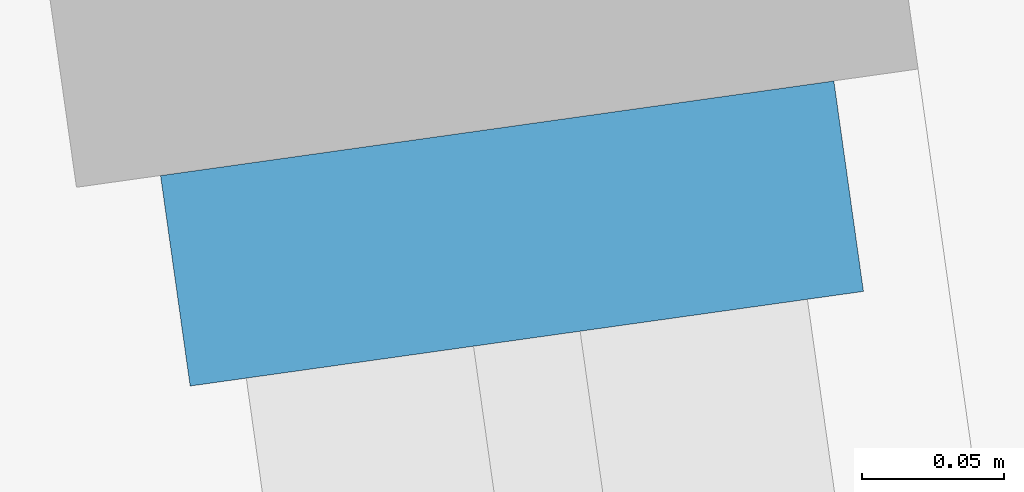
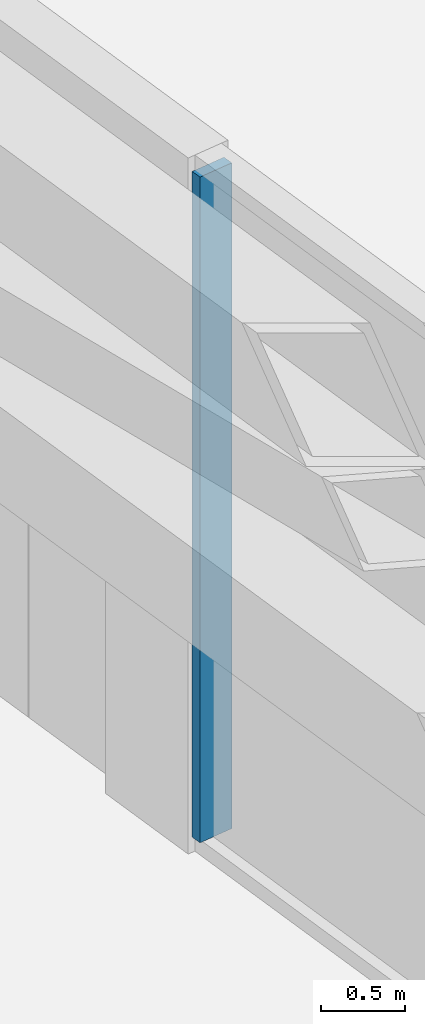
# One storey, part 15 of 41: 1 member, 1 element without a shape of its own.
"""IFC4 building model written with IfcOpenShell, lengths in metres."""

from ifc_helpers import new_model, si_unit, direction, frame, origin, origin_2d, place, context, subcontext, project, spatial, rectangle, extrude, material, material_profile, profile_set, type_object, element, aggregate, save


model = new_model("IFC4")

# Units and contexts
model_context = context("Model", 3, precision=1e-05, world=origin(), true_north=direction((0.0, 1.0)))
body_context = subcontext(model_context, "Body", "Model", "MODEL_VIEW")
ifc_project = project(units=[si_unit("LENGTHUNIT", "METRE"), si_unit("AREAUNIT", "SQUARE_METRE"), si_unit("VOLUMEUNIT", "CUBIC_METRE"), si_unit("PLANEANGLEUNIT", "RADIAN"), si_unit("MASSUNIT", "GRAM", prefix="KILO")], contexts=[model_context])

# Site, building, storey
site_placement = place(None, origin())
site = spatial("IfcSite", under=ifc_project, at=site_placement, CompositionType="ELEMENT")
building_placement = place(site_placement, origin())
building = spatial("IfcBuilding", under=site, at=building_placement, Name="Mirante Cascada Hotel Towers", CompositionType="ELEMENT")
storey_placement = place(building_placement, frame((0.0, 0.0, 151.9)))
storey = spatial("IfcBuildingStorey", under=building, at=storey_placement, Name="L35", CompositionType="ELEMENT", Elevation=151.9)

# Curtain wall, member
ifc_material_1 = material(Name="Aluminium mullion and transom frame with clear laminated glass", Category="aluminium")
curtain_wall_type = type_object("IfcCurtainWallType", Name="Sky garden curtain wall ECW4", PredefinedType="NOTDEFINED", material=ifc_material_1)
curtain_wall_placement = place(storey_placement, origin())
curtain_wall = element("IfcCurtainWall", 1, at=curtain_wall_placement, inside=storey, type_object=curtain_wall_type, Name="Sky garden wall T2 L35 run 1", PredefinedType="NOTDEFINED")
ifc_material_2 = material(Name="Anodised aluminium extrusion", Category="aluminium")
ifc_material_profile = material_profile(ifc_material_2, rectangle(XDim=0.24, YDim=0.075, at=origin_2d()), Name="ECW4 MULLION 75x240")
ifc_profile_set = profile_set([ifc_material_profile], Name="Anodised aluminium extrusion")
member_type = type_object("IfcMemberType", Name="ECW4 mullion 75x240", PredefinedType="MULLION", material=ifc_profile_set)
member_placement = place(storey_placement, frame((92.0209, 8.2943, 0.11), z_axis=(0.0, 0.0, 1.0), x_axis=(-0.9902681, -0.1391731, 0.0)))
member = element("IfcMember", 2, at=member_placement, type_object=member_type, Name="ECW4 mullion 5", PredefinedType="MULLION", context=body_context, shape_type="SweptSolid", body=[
    extrude(rectangle(XDim=0.24, YDim=0.075, at=origin_2d()), origin(), (0.0, 0.0, 1.0), 4.83),
])
aggregate(curtain_wall, [member])

save(model, "model.ifc")
